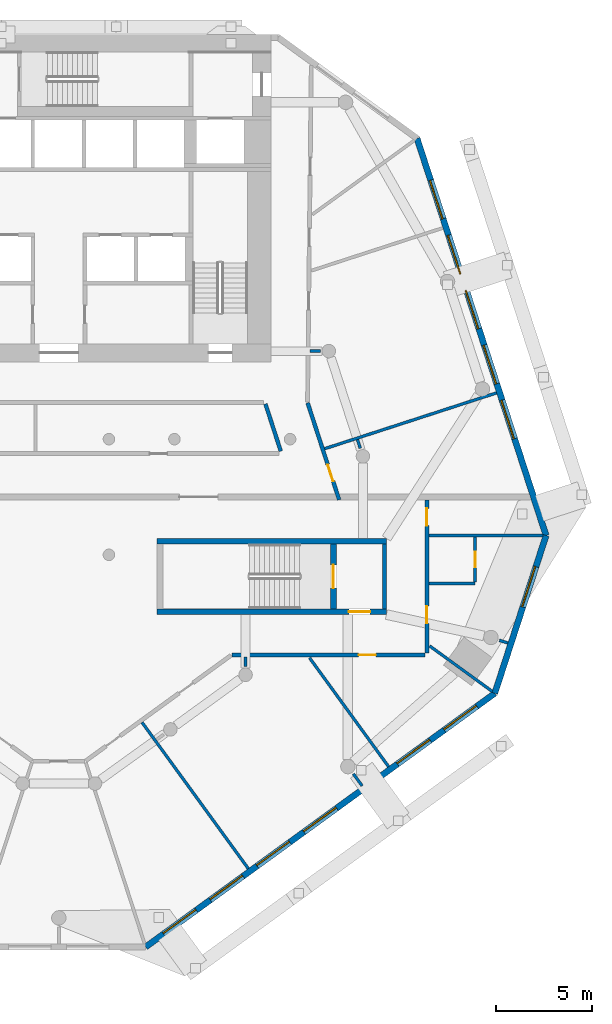
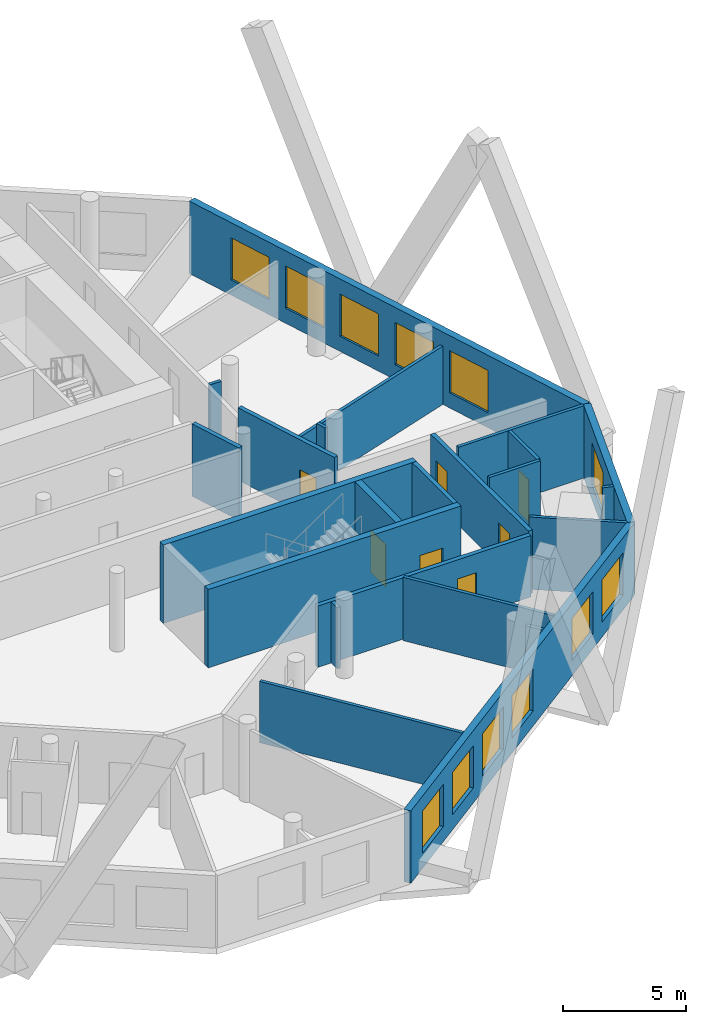
# One storey, part 5 of 9: 23 walls, 12 windows, 7 doors, 19 openings.
"""IFC4 building model written with IfcOpenShell, lengths in metres."""

from ifc_helpers import new_model, si_unit, direction, frame, frame_2d, origin, place, context, subcontext, project, spatial, rectangle, extrude, material, layer, layer_set, type_object, element, fill, save


model = new_model("IFC4")

# Units and contexts
model_context = context("Model", 3, precision=1e-05, world=origin(), true_north=direction((0.0, 1.0)))
body_context = subcontext(model_context, "Body", "Model", "MODEL_VIEW")
ifc_project = project(units=[si_unit("LENGTHUNIT", "METRE"), si_unit("AREAUNIT", "SQUARE_METRE"), si_unit("VOLUMEUNIT", "CUBIC_METRE"), si_unit("PLANEANGLEUNIT", "RADIAN"), si_unit("MASSUNIT", "GRAM", prefix="KILO")], contexts=[model_context])

# Site, building, storey
site_placement = place(None, origin())
site = spatial("IfcSite", under=ifc_project, at=site_placement, CompositionType="ELEMENT")
building_placement = place(site_placement, origin())
building = spatial("IfcBuilding", under=site, at=building_placement, Name="White Candle Pilgrim Tower", CompositionType="ELEMENT")
storey_placement = place(building_placement, frame((0.0, 0.0, 148.60009765625)))
storey = spatial("IfcBuildingStorey", under=building, at=storey_placement, Name="L33", CompositionType="ELEMENT", Elevation=148.60009765625)

# Wall
ifc_material_1 = material(Name="Concrete C60/75", Category="concrete")
ifc_layer_1 = layer(ifc_material_1, 0.199951171875)
ifc_layer_set_1 = layer_set([ifc_layer_1], Name="Core wall 200 mm Concrete C60/75")
wall_type_1 = type_object("IfcWallType", Name="Core wall 200 mm Concrete C60/75", PredefinedType="SHEAR", material=ifc_layer_set_1)
wall_1_placement = place(storey_placement, frame((86.89990234375, 58.199951171875, 0.0), z_axis=(0.0, 0.0, 1.0), x_axis=(0.0, 1.0, 0.0)))
element("IfcWall", 1, at=wall_1_placement, inside=storey, type_object=wall_type_1, Name="WL-L33-C08", PredefinedType="SHEAR", context=body_context, shape_type="SweptSolid", body=[
    extrude(rectangle(XDim=3.35009765625, YDim=0.199951171875, at=frame_2d((1.675048828125, 0.0))), origin(), (0.0, 0.0, 1.0), 3.89990234375),
])

# Wall, opening, door
ifc_material_2 = material(Name="Gypsum board on steel studs", Category="steel")
ifc_layer_2 = layer(ifc_material_2, 0.199951171875)
ifc_layer_set_2 = layer_set([ifc_layer_2], Name="Corridor wall 200 mm EI 45")
wall_type_2 = type_object("IfcWallType", Name="Corridor wall 200 mm EI 45", PredefinedType="PARTITIONING", material=ifc_layer_set_2)
wall_2_placement = place(storey_placement, frame((82.91162109375, 68.884521484375, 0.0), z_axis=(0.0, 0.0, 1.0), x_axis=(0.309009941901, -0.951058807754, 0.0)))
wall_2 = element("IfcWall", 2, at=wall_2_placement, inside=storey, type_object=wall_type_2, Name="WL-L33-P005", PredefinedType="PARTITIONING", context=body_context, shape_type="SweptSolid", body=[
    extrude(rectangle(XDim=5.29345703125, YDim=0.199951171875, at=frame_2d((2.646728515625, 0.0))), origin(), (0.0, 0.0, 1.0), 3.599853515625),
])
opening_1_placement = place(wall_2_placement, frame((3.375, 0.0, 0.0)))
opening_1 = element("IfcOpeningElement", 3, at=opening_1_placement, cuts=wall_2, Name="Opening T10-123", PredefinedType="OPENING", context=body_context, shape_type="SweptSolid", body=[
    extrude(rectangle(XDim=0.89990234375, YDim=2.10009765625, at=frame_2d((0.449951171875, 1.050048828125))), frame((0.0, 0.10986328125, 0.0), z_axis=(0.0, -1.0, 0.0), x_axis=(1.0, 0.0, 0.0)), (0.0, 0.0, 1.0), 0.219970703125),
])
ifc_material_3 = material(Name="Steel door leaf", Category="steel")
door_type_1 = type_object("IfcDoorType", Name="Fire door 900 x 2100 EI 30", OperationType="NOTDEFINED", PredefinedType="DOOR", material=ifc_material_3)
door_1_placement = place(opening_1_placement, origin())
door_1 = element("IfcDoor", 4, at=door_1_placement, inside=storey, type_object=door_type_1, Name="Door T10-123", OperationType="SINGLE_SWING_LEFT", OverallHeight=2.10009765625, OverallWidth=0.89990234375, PredefinedType="DOOR", context=body_context, shape_type="SweptSolid", body=[
    extrude(rectangle(XDim=0.89990234375, YDim=2.10009765625, at=frame_2d((0.449951171875, 1.050048828125))), frame((0.0, 0.02490234375, 0.0), z_axis=(0.0, -1.0, 0.0), x_axis=(1.0, 0.0, 0.0)), (0.0, 0.0, 1.0), 0.050048828125),
])
fill(opening_1, door_1)

# Wall, openings, doors
wall_3_placement = place(storey_placement, frame((89.10009765625, 63.85009765625, 0.0), z_axis=(0.0, 0.0, 1.0), x_axis=(0.0, -1.0, 0.0)))
wall_3 = element("IfcWall", 5, at=wall_3_placement, inside=storey, type_object=wall_type_2, Name="WL-L33-P006", PredefinedType="PARTITIONING", context=body_context, shape_type="SweptSolid", body=[
    extrude(rectangle(XDim=7.9501953125, YDim=0.199951171875, at=frame_2d((3.97509765625, 0.0))), origin(), (0.0, 0.0, 1.0), 3.14990234375),
])
opening_2_placement = place(wall_3_placement, frame((5.51220703125, 0.0, 0.0)))
opening_2 = element("IfcOpeningElement", 6, at=opening_2_placement, cuts=wall_3, Name="Opening T10-112", PredefinedType="OPENING", context=body_context, shape_type="SweptSolid", body=[
    extrude(rectangle(XDim=0.89990234375, YDim=2.10009765625, at=frame_2d((0.449951171875, 1.050048828125))), frame((0.0, 0.10986328125, 0.0), z_axis=(0.0, -1.0, 0.0), x_axis=(1.0, 0.0, 0.0)), (0.0, 0.0, 1.0), 0.219970703125),
])
opening_3_placement = place(wall_3_placement, frame((0.436279296875, 0.0, 0.0)))
opening_3 = element("IfcOpeningElement", 7, at=opening_3_placement, cuts=wall_3, Name="Opening T10-124", PredefinedType="OPENING", context=body_context, shape_type="SweptSolid", body=[
    extrude(rectangle(XDim=0.89990234375, YDim=2.10009765625, at=frame_2d((0.449951171875, 1.050048828125))), frame((0.0, 0.10986328125, 0.0), z_axis=(0.0, -1.0, 0.0), x_axis=(1.0, 0.0, 0.0)), (0.0, 0.0, 1.0), 0.219970703125),
])
door_2_placement = place(opening_2_placement, origin())
door_2 = element("IfcDoor", 8, at=door_2_placement, inside=storey, type_object=door_type_1, Name="Door T10-112", OperationType="SINGLE_SWING_RIGHT", OverallHeight=2.10009765625, OverallWidth=0.89990234375, PredefinedType="DOOR", context=body_context, shape_type="SweptSolid", body=[
    extrude(rectangle(XDim=0.89990234375, YDim=2.10009765625, at=frame_2d((0.449951171875, 1.050048828125))), frame((0.0, 0.02490234375, 0.0), z_axis=(0.0, -1.0, 0.0), x_axis=(1.0, 0.0, 0.0)), (0.0, 0.0, 1.0), 0.050048828125),
])
fill(opening_2, door_2)
door_3_placement = place(opening_3_placement, origin())
door_3 = element("IfcDoor", 9, at=door_3_placement, inside=storey, type_object=door_type_1, Name="Door T10-124", OperationType="SINGLE_SWING_RIGHT", OverallHeight=2.10009765625, OverallWidth=0.89990234375, PredefinedType="DOOR", context=body_context, shape_type="SweptSolid", body=[
    extrude(rectangle(XDim=0.89990234375, YDim=2.10009765625, at=frame_2d((0.449951171875, 1.050048828125))), frame((0.0, 0.02490234375, 0.0), z_axis=(0.0, -1.0, 0.0), x_axis=(1.0, 0.0, 0.0)), (0.0, 0.0, 1.0), 0.050048828125),
])
fill(opening_3, door_3)

# Wall, opening, door
wall_4_placement = place(storey_placement, frame((89.0, 55.800048828125, 0.0), z_axis=(0.0, 0.0, 1.0), x_axis=(-1.0, 0.0, 0.0)))
wall_4 = element("IfcWall", 10, at=wall_4_placement, inside=storey, type_object=wall_type_2, Name="WL-L33-P007", PredefinedType="PARTITIONING", context=body_context, shape_type="SweptSolid", body=[
    extrude(rectangle(XDim=10.010986328125, YDim=0.199951171875, at=frame_2d((5.00537109375, 0.0))), origin(), (0.0, 0.0, 1.0), 3.0498046875),
])
opening_4_placement = place(wall_4_placement, frame((2.548583984375, 0.0, 0.0)))
opening_4 = element("IfcOpeningElement", 11, at=opening_4_placement, cuts=wall_4, Name="Opening T10-110", PredefinedType="OPENING", context=body_context, shape_type="SweptSolid", body=[
    extrude(rectangle(XDim=0.89990234375, YDim=2.10009765625, at=frame_2d((0.449951171875, 1.050048828125))), frame((0.0, 0.10986328125, 0.0), z_axis=(0.0, -1.0, 0.0), x_axis=(1.0, 0.0, 0.0)), (0.0, 0.0, 1.0), 0.219970703125),
])
door_4_placement = place(opening_4_placement, origin())
door_4 = element("IfcDoor", 12, at=door_4_placement, inside=storey, type_object=door_type_1, Name="Door T10-110", OperationType="SINGLE_SWING_RIGHT", OverallHeight=2.10009765625, OverallWidth=0.89990234375, PredefinedType="DOOR", context=body_context, shape_type="SweptSolid", body=[
    extrude(rectangle(XDim=0.89990234375, YDim=2.10009765625, at=frame_2d((0.449951171875, 1.050048828125))), frame((0.0, 0.02490234375, 0.0), z_axis=(0.0, -1.0, 0.0), x_axis=(1.0, 0.0, 0.0)), (0.0, 0.0, 1.0), 0.050048828125),
])
fill(opening_4, door_4)

# Wall
wall_5_placement = place(storey_placement, frame((81.516845703125, 66.380859375, 0.0), z_axis=(0.0, 0.0, 1.0), x_axis=(-0.308968203288, 0.951072368097, 0.0)))
element("IfcWall", 13, at=wall_5_placement, inside=storey, type_object=wall_type_2, Name="WL-L33-P014", PredefinedType="PARTITIONING", context=body_context, shape_type="SweptSolid", body=[
    extrude(rectangle(XDim=2.575927734375, YDim=0.199951171875, at=frame_2d((1.2880859375, 0.0))), origin(), (0.0, 0.0, 1.0), 3.599853515625),
])

# Wall, openings, windows
ifc_material_4 = material(Name="Precast concrete C40/50", Category="concrete")
ifc_layer_3 = layer(ifc_material_4, 0.320068359375)
ifc_layer_set_3 = layer_set([ifc_layer_3], Name="Facade wall EW1 precast concrete C40/50 pier wall with timber-lined reveals")
wall_type_3 = type_object("IfcWallType", Name="Facade wall EW1 precast concrete C40/50 pier wall with timber-lined reveals", PredefinedType="SOLIDWALL", material=ifc_layer_set_3)
wall_6_placement = place(storey_placement, frame((74.5068359375, 40.6513671875, 0.0), z_axis=(0.0, 0.0, 1.0), x_axis=(0.809012267685, 0.587791757968, 0.0)))
wall_6 = element("IfcWall", 14, at=wall_6_placement, inside=storey, type_object=wall_type_3, Name="Facade wall L33 SE", PredefinedType="SOLIDWALL", context=body_context, shape_type="SweptSolid", body=[
    extrude(rectangle(XDim=22.393310546875, YDim=0.320068359375, at=frame_2d((11.19677734375, 0.0))), origin(), (0.0, 0.0, 1.0), 3.599853515625),
])
opening_5_placement = place(wall_6_placement, frame((1.146484375, 0.0, 0.75)))
opening_5 = element("IfcOpeningElement", 15, at=opening_5_placement, cuts=wall_6, Name="Opening W3", PredefinedType="OPENING", context=body_context, shape_type="SweptSolid", body=[
    extrude(rectangle(XDim=2.10009765625, YDim=2.10009765625, at=frame_2d((1.050048828125, 1.050048828125))), frame((0.0, 0.169921875, 0.0), z_axis=(0.0, -1.0, 0.0), x_axis=(1.0, 0.0, 0.0)), (0.0, 0.0, 1.0), 0.340087890625),
])
opening_6_placement = place(wall_6_placement, frame((4.146484375, 0.0, 0.75)))
opening_6 = element("IfcOpeningElement", 16, at=opening_6_placement, cuts=wall_6, Name="Opening W3", PredefinedType="OPENING", context=body_context, shape_type="SweptSolid", body=[
    extrude(rectangle(XDim=2.10009765625, YDim=2.10009765625, at=frame_2d((1.050048828125, 1.050048828125))), frame((0.0, 0.169921875, 0.0), z_axis=(0.0, -1.0, 0.0), x_axis=(1.0, 0.0, 0.0)), (0.0, 0.0, 1.0), 0.340087890625),
])
opening_7_placement = place(wall_6_placement, frame((7.146484375, 0.0, 0.75)))
opening_7 = element("IfcOpeningElement", 17, at=opening_7_placement, cuts=wall_6, Name="Opening W3", PredefinedType="OPENING", context=body_context, shape_type="SweptSolid", body=[
    extrude(rectangle(XDim=2.10009765625, YDim=2.10009765625, at=frame_2d((1.050048828125, 1.050048828125))), frame((0.0, 0.169921875, 0.0), z_axis=(0.0, -1.0, 0.0), x_axis=(1.0, 0.0, 0.0)), (0.0, 0.0, 1.0), 0.340087890625),
])
opening_8_placement = place(wall_6_placement, frame((10.146484375, 0.0, 0.75)))
opening_8 = element("IfcOpeningElement", 18, at=opening_8_placement, cuts=wall_6, Name="Opening W3", PredefinedType="OPENING", context=body_context, shape_type="SweptSolid", body=[
    extrude(rectangle(XDim=2.10009765625, YDim=2.10009765625, at=frame_2d((1.050048828125, 1.050048828125))), frame((0.0, 0.169921875, 0.0), z_axis=(0.0, -1.0, 0.0), x_axis=(1.0, 0.0, 0.0)), (0.0, 0.0, 1.0), 0.340087890625),
])
opening_9_placement = place(wall_6_placement, frame((16.146484375, 0.0, 0.75)))
opening_9 = element("IfcOpeningElement", 19, at=opening_9_placement, cuts=wall_6, Name="Opening W3", PredefinedType="OPENING", context=body_context, shape_type="SweptSolid", body=[
    extrude(rectangle(XDim=2.10009765625, YDim=2.10009765625, at=frame_2d((1.050048828125, 1.050048828125))), frame((0.0, 0.169921875, 0.0), z_axis=(0.0, -1.0, 0.0), x_axis=(1.0, 0.0, 0.0)), (0.0, 0.0, 1.0), 0.340087890625),
])
opening_10_placement = place(wall_6_placement, frame((19.146484375, 0.0, 0.75)))
opening_10 = element("IfcOpeningElement", 20, at=opening_10_placement, cuts=wall_6, Name="Opening W3", PredefinedType="OPENING", context=body_context, shape_type="SweptSolid", body=[
    extrude(rectangle(XDim=2.10009765625, YDim=2.10009765625, at=frame_2d((1.050048828125, 1.050048828125))), frame((0.0, 0.169921875, 0.0), z_axis=(0.0, -1.0, 0.0), x_axis=(1.0, 0.0, 0.0)), (0.0, 0.0, 1.0), 0.340087890625),
])
ifc_material_5 = material(Name="Timber frame with triple glazing", Category="wood")
window_type_1 = type_object("IfcWindowType", Name="Window W3 2100x2100 timber frame triple glazing", PartitioningType="SINGLE_PANEL", PredefinedType="WINDOW", material=ifc_material_5)
window_1_placement = place(opening_5_placement, origin())
window_1 = element("IfcWindow", 21, at=window_1_placement, inside=storey, type_object=window_type_1, Name="Window W3 L33 SE 1", OverallHeight=2.10009765625, OverallWidth=2.10009765625, PartitioningType="SINGLE_PANEL", PredefinedType="WINDOW", context=body_context, shape_type="SweptSolid", body=[
    extrude(rectangle(XDim=2.10009765625, YDim=2.10009765625, at=frame_2d((1.050048828125, 1.050048828125))), frame((0.0, 0.070068359375, 0.0), z_axis=(0.0, -1.0, 0.0), x_axis=(1.0, 0.0, 0.0)), (0.0, 0.0, 1.0), 0.06005859375),
])
fill(opening_5, window_1)
window_2_placement = place(opening_6_placement, origin())
window_2 = element("IfcWindow", 22, at=window_2_placement, inside=storey, type_object=window_type_1, Name="Window W3 L33 SE 2", OverallHeight=2.10009765625, OverallWidth=2.10009765625, PartitioningType="SINGLE_PANEL", PredefinedType="WINDOW", context=body_context, shape_type="SweptSolid", body=[
    extrude(rectangle(XDim=2.10009765625, YDim=2.10009765625, at=frame_2d((1.050048828125, 1.050048828125))), frame((0.0, 0.070068359375, 0.0), z_axis=(0.0, -1.0, 0.0), x_axis=(1.0, 0.0, 0.0)), (0.0, 0.0, 1.0), 0.06005859375),
])
fill(opening_6, window_2)
window_3_placement = place(opening_7_placement, origin())
window_3 = element("IfcWindow", 23, at=window_3_placement, inside=storey, type_object=window_type_1, Name="Window W3 L33 SE 3", OverallHeight=2.10009765625, OverallWidth=2.10009765625, PartitioningType="SINGLE_PANEL", PredefinedType="WINDOW", context=body_context, shape_type="SweptSolid", body=[
    extrude(rectangle(XDim=2.10009765625, YDim=2.10009765625, at=frame_2d((1.050048828125, 1.050048828125))), frame((0.0, 0.070068359375, 0.0), z_axis=(0.0, -1.0, 0.0), x_axis=(1.0, 0.0, 0.0)), (0.0, 0.0, 1.0), 0.06005859375),
])
fill(opening_7, window_3)
window_4_placement = place(opening_8_placement, origin())
window_4 = element("IfcWindow", 24, at=window_4_placement, inside=storey, type_object=window_type_1, Name="Window W3 L33 SE 4", OverallHeight=2.10009765625, OverallWidth=2.10009765625, PartitioningType="SINGLE_PANEL", PredefinedType="WINDOW", context=body_context, shape_type="SweptSolid", body=[
    extrude(rectangle(XDim=2.10009765625, YDim=2.10009765625, at=frame_2d((1.050048828125, 1.050048828125))), frame((0.0, 0.070068359375, 0.0), z_axis=(0.0, -1.0, 0.0), x_axis=(1.0, 0.0, 0.0)), (0.0, 0.0, 1.0), 0.06005859375),
])
fill(opening_8, window_4)
window_5_placement = place(opening_9_placement, origin())
window_5 = element("IfcWindow", 25, at=window_5_placement, inside=storey, type_object=window_type_1, Name="Window W3 L33 SE 6", OverallHeight=2.10009765625, OverallWidth=2.10009765625, PartitioningType="SINGLE_PANEL", PredefinedType="WINDOW", context=body_context, shape_type="SweptSolid", body=[
    extrude(rectangle(XDim=2.10009765625, YDim=2.10009765625, at=frame_2d((1.050048828125, 1.050048828125))), frame((0.0, 0.070068359375, 0.0), z_axis=(0.0, -1.0, 0.0), x_axis=(1.0, 0.0, 0.0)), (0.0, 0.0, 1.0), 0.06005859375),
])
fill(opening_9, window_5)
window_6_placement = place(opening_10_placement, origin())
window_6 = element("IfcWindow", 26, at=window_6_placement, inside=storey, type_object=window_type_1, Name="Window W3 L33 SE 7", OverallHeight=2.10009765625, OverallWidth=2.10009765625, PartitioningType="SINGLE_PANEL", PredefinedType="WINDOW", context=body_context, shape_type="SweptSolid", body=[
    extrude(rectangle(XDim=2.10009765625, YDim=2.10009765625, at=frame_2d((1.050048828125, 1.050048828125))), frame((0.0, 0.070068359375, 0.0), z_axis=(0.0, -1.0, 0.0), x_axis=(1.0, 0.0, 0.0)), (0.0, 0.0, 1.0), 0.06005859375),
])
fill(opening_10, window_6)

# Wall, opening, window
wall_7_placement = place(storey_placement, frame((92.623291015625, 53.81396484375, 0.0), z_axis=(0.0, 0.0, 1.0), x_axis=(0.309030288319, 0.951052196728, 0.0)))
wall_7 = element("IfcWall", 27, at=wall_7_placement, inside=storey, type_object=wall_type_3, Name="Facade wall L33 E chamfer", PredefinedType="SOLIDWALL", context=body_context, shape_type="SweptSolid", body=[
    extrude(rectangle(XDim=8.609619140625, YDim=0.320068359375, at=frame_2d((4.3046875, 0.0))), origin(), (0.0, 0.0, 1.0), 3.599853515625),
])
opening_11_placement = place(wall_7_placement, frame((4.704833984375, 0.0, 0.75)))
opening_11 = element("IfcOpeningElement", 28, at=opening_11_placement, cuts=wall_7, Name="Opening W4", PredefinedType="OPENING", context=body_context, shape_type="SweptSolid", body=[
    extrude(rectangle(XDim=2.199951171875, YDim=2.10009765625, at=frame_2d((1.10009765625, 1.050048828125))), frame((0.0, 0.169921875, 0.0), z_axis=(0.0, -1.0, 0.0), x_axis=(1.0, 0.0, 0.0)), (0.0, 0.0, 1.0), 0.340087890625),
])
window_type_2 = type_object("IfcWindowType", Name="Window W4 2200x2100 timber frame triple glazing", PartitioningType="SINGLE_PANEL", PredefinedType="WINDOW", material=ifc_material_5)
window_7_placement = place(opening_11_placement, origin())
window_7 = element("IfcWindow", 29, at=window_7_placement, inside=storey, type_object=window_type_2, Name="Window W4 L33 E chamfer 2", OverallHeight=2.10009765625, OverallWidth=2.199951171875, PartitioningType="SINGLE_PANEL", PredefinedType="WINDOW", context=body_context, shape_type="SweptSolid", body=[
    extrude(rectangle(XDim=2.199951171875, YDim=2.10009765625, at=frame_2d((1.10009765625, 1.050048828125))), frame((0.0, 0.070068359375, 0.0), z_axis=(0.0, -1.0, 0.0), x_axis=(1.0, 0.0, 0.0)), (0.0, 0.0, 1.0), 0.06005859375),
])
fill(opening_11, window_7)

# Wall, openings, windows
wall_8_placement = place(storey_placement, frame((95.283935546875, 62.002197265625, 0.0), z_axis=(0.0, 0.0, 1.0), x_axis=(-0.309020837221, 0.95105526767, 0.0)))
wall_8 = element("IfcWall", 30, at=wall_8_placement, inside=storey, type_object=wall_type_3, Name="Facade wall L33 ENE", PredefinedType="SOLIDWALL", context=body_context, shape_type="SweptSolid", body=[
    extrude(rectangle(XDim=21.663818359375, YDim=0.320068359375, at=frame_2d((10.83203125, 0.0))), origin(), (0.0, 0.0, 1.0), 3.599853515625),
])
opening_12_placement = place(wall_8_placement, frame((5.281982421875, 0.0, 0.75)))
opening_12 = element("IfcOpeningElement", 31, at=opening_12_placement, cuts=wall_8, Name="Opening W3", PredefinedType="OPENING", context=body_context, shape_type="SweptSolid", body=[
    extrude(rectangle(XDim=2.10009765625, YDim=2.10009765625, at=frame_2d((1.050048828125, 1.050048828125))), frame((0.0, 0.169921875, 0.0), z_axis=(0.0, -1.0, 0.0), x_axis=(1.0, 0.0, 0.0)), (0.0, 0.0, 1.0), 0.340087890625),
])
opening_13_placement = place(wall_8_placement, frame((8.281982421875, 0.0, 0.75)))
opening_13 = element("IfcOpeningElement", 32, at=opening_13_placement, cuts=wall_8, Name="Opening W3", PredefinedType="OPENING", context=body_context, shape_type="SweptSolid", body=[
    extrude(rectangle(XDim=2.10009765625, YDim=2.10009765625, at=frame_2d((1.050048828125, 1.050048828125))), frame((0.0, 0.169921875, 0.0), z_axis=(0.0, -1.0, 0.0), x_axis=(1.0, 0.0, 0.0)), (0.0, 0.0, 1.0), 0.340087890625),
])
opening_14_placement = place(wall_8_placement, frame((11.281982421875, 0.0, 0.75)))
opening_14 = element("IfcOpeningElement", 33, at=opening_14_placement, cuts=wall_8, Name="Opening W3", PredefinedType="OPENING", context=body_context, shape_type="SweptSolid", body=[
    extrude(rectangle(XDim=2.10009765625, YDim=2.10009765625, at=frame_2d((1.050048828125, 1.050048828125))), frame((0.0, 0.169921875, 0.0), z_axis=(0.0, -1.0, 0.0), x_axis=(1.0, 0.0, 0.0)), (0.0, 0.0, 1.0), 0.340087890625),
])
opening_15_placement = place(wall_8_placement, frame((14.281982421875, 0.0, 0.75)))
opening_15 = element("IfcOpeningElement", 34, at=opening_15_placement, cuts=wall_8, Name="Opening W3", PredefinedType="OPENING", context=body_context, shape_type="SweptSolid", body=[
    extrude(rectangle(XDim=2.10009765625, YDim=2.10009765625, at=frame_2d((1.050048828125, 1.050048828125))), frame((0.0, 0.169921875, 0.0), z_axis=(0.0, -1.0, 0.0), x_axis=(1.0, 0.0, 0.0)), (0.0, 0.0, 1.0), 0.340087890625),
])
opening_16_placement = place(wall_8_placement, frame((17.281982421875, 0.0, 0.75)))
opening_16 = element("IfcOpeningElement", 35, at=opening_16_placement, cuts=wall_8, Name="Opening W3", PredefinedType="OPENING", context=body_context, shape_type="SweptSolid", body=[
    extrude(rectangle(XDim=2.10009765625, YDim=2.10009765625, at=frame_2d((1.050048828125, 1.050048828125))), frame((0.0, 0.169921875, 0.0), z_axis=(0.0, -1.0, 0.0), x_axis=(1.0, 0.0, 0.0)), (0.0, 0.0, 1.0), 0.340087890625),
])
window_8_placement = place(opening_12_placement, origin())
window_8 = element("IfcWindow", 36, at=window_8_placement, inside=storey, type_object=window_type_1, Name="Window W3 L33 ENE 2", OverallHeight=2.10009765625, OverallWidth=2.10009765625, PartitioningType="SINGLE_PANEL", PredefinedType="WINDOW", context=body_context, shape_type="SweptSolid", body=[
    extrude(rectangle(XDim=2.10009765625, YDim=2.10009765625, at=frame_2d((1.050048828125, 1.050048828125))), frame((0.0, 0.070068359375, 0.0), z_axis=(0.0, -1.0, 0.0), x_axis=(1.0, 0.0, 0.0)), (0.0, 0.0, 1.0), 0.06005859375),
])
fill(opening_12, window_8)
window_9_placement = place(opening_13_placement, origin())
window_9 = element("IfcWindow", 37, at=window_9_placement, inside=storey, type_object=window_type_1, Name="Window W3 L33 ENE 3", OverallHeight=2.10009765625, OverallWidth=2.10009765625, PartitioningType="SINGLE_PANEL", PredefinedType="WINDOW", context=body_context, shape_type="SweptSolid", body=[
    extrude(rectangle(XDim=2.10009765625, YDim=2.10009765625, at=frame_2d((1.050048828125, 1.050048828125))), frame((0.0, 0.070068359375, 0.0), z_axis=(0.0, -1.0, 0.0), x_axis=(1.0, 0.0, 0.0)), (0.0, 0.0, 1.0), 0.06005859375),
])
fill(opening_13, window_9)
window_10_placement = place(opening_14_placement, origin())
window_10 = element("IfcWindow", 38, at=window_10_placement, inside=storey, type_object=window_type_1, Name="Window W3 L33 ENE 4", OverallHeight=2.10009765625, OverallWidth=2.10009765625, PartitioningType="SINGLE_PANEL", PredefinedType="WINDOW", context=body_context, shape_type="SweptSolid", body=[
    extrude(rectangle(XDim=2.10009765625, YDim=2.10009765625, at=frame_2d((1.050048828125, 1.050048828125))), frame((0.0, 0.070068359375, 0.0), z_axis=(0.0, -1.0, 0.0), x_axis=(1.0, 0.0, 0.0)), (0.0, 0.0, 1.0), 0.06005859375),
])
fill(opening_14, window_10)
window_11_placement = place(opening_15_placement, origin())
window_11 = element("IfcWindow", 39, at=window_11_placement, inside=storey, type_object=window_type_1, Name="Window W3 L33 ENE 5", OverallHeight=2.10009765625, OverallWidth=2.10009765625, PartitioningType="SINGLE_PANEL", PredefinedType="WINDOW", context=body_context, shape_type="SweptSolid", body=[
    extrude(rectangle(XDim=2.10009765625, YDim=2.10009765625, at=frame_2d((1.050048828125, 1.050048828125))), frame((0.0, 0.070068359375, 0.0), z_axis=(0.0, -1.0, 0.0), x_axis=(1.0, 0.0, 0.0)), (0.0, 0.0, 1.0), 0.06005859375),
])
fill(opening_15, window_11)
window_12_placement = place(opening_16_placement, origin())
window_12 = element("IfcWindow", 40, at=window_12_placement, inside=storey, type_object=window_type_1, Name="Window W3 L33 ENE 6", OverallHeight=2.10009765625, OverallWidth=2.10009765625, PartitioningType="SINGLE_PANEL", PredefinedType="WINDOW", context=body_context, shape_type="SweptSolid", body=[
    extrude(rectangle(XDim=2.10009765625, YDim=2.10009765625, at=frame_2d((1.050048828125, 1.050048828125))), frame((0.0, 0.070068359375, 0.0), z_axis=(0.0, -1.0, 0.0), x_axis=(1.0, 0.0, 0.0)), (0.0, 0.0, 1.0), 0.06005859375),
])
fill(opening_16, window_12)

# Walls
ifc_layer_4 = layer(ifc_material_2, 0.14990234375)
ifc_layer_set_4 = layer_set([ifc_layer_4], Name="Partition 150 mm EI 60")
wall_type_4 = type_object("IfcWallType", Name="Partition 150 mm EI 60", PredefinedType="PARTITIONING", material=ifc_layer_set_4)
wall_9_placement = place(storey_placement, frame((92.4873046875, 53.91259765625, 0.0), z_axis=(0.0, 0.0, 1.0), x_axis=(-0.80899935581, 0.587809528928, 0.0)))
element("IfcWall", 41, at=wall_9_placement, inside=storey, type_object=wall_type_4, Name="WL-L33-P022", PredefinedType="PARTITIONING", context=body_context, shape_type="SweptSolid", body=[
    extrude(rectangle(XDim=4.0087890625, YDim=0.14990234375, at=frame_2d((2.00439453125, 0.0))), origin(), (0.0, 0.0, 1.0), 3.599853515625),
])
wall_10_placement = place(storey_placement, frame((95.115478515625, 62.002197265625, 0.0), z_axis=(0.0, 0.0, 1.0), x_axis=(-1.0, 0.0, 0.0)))
element("IfcWall", 42, at=wall_10_placement, inside=storey, type_object=wall_type_4, Name="WL-L33-P023", PredefinedType="PARTITIONING", context=body_context, shape_type="SweptSolid", body=[
    extrude(rectangle(XDim=5.91552734375, YDim=0.14990234375, at=frame_2d((2.957763671875, 0.0))), origin(), (0.0, 0.0, 1.0), 3.599853515625),
])
wall_11_placement = place(storey_placement, frame((79.830322265625, 44.717041015625, 0.0), z_axis=(0.0, 0.0, 1.0), x_axis=(-0.587783184234, 0.809018496903, 0.0)))
element("IfcWall", 43, at=wall_11_placement, inside=storey, type_object=wall_type_4, Name="WL-L33-P032", PredefinedType="PARTITIONING", context=body_context, shape_type="SweptSolid", body=[
    extrude(rectangle(XDim=9.380126953125, YDim=0.14990234375, at=frame_2d((4.68994140625, 0.0))), origin(), (0.0, 0.0, 1.0), 3.0498046875),
])
wall_12_placement = place(storey_placement, frame((87.111572265625, 50.007080078125, 0.0), z_axis=(0.0, 0.0, 1.0), x_axis=(-0.587768293971, 0.809029315045, 0.0)))
element("IfcWall", 44, at=wall_12_placement, inside=storey, type_object=wall_type_4, Name="WL-L33-P033", PredefinedType="PARTITIONING", context=body_context, shape_type="SweptSolid", body=[
    extrude(rectangle(XDim=6.982421875, YDim=0.14990234375, at=frame_2d((3.4912109375, 0.0))), origin(), (0.0, 0.0, 1.0), 3.14990234375),
])
wall_13_placement = place(storey_placement, frame((89.199951171875, 59.502197265625, 0.0), z_axis=(0.0, 0.0, 1.0), x_axis=(1.0, 0.0, 0.0)))
element("IfcWall", 45, at=wall_13_placement, inside=storey, type_object=wall_type_4, Name="WL-L33-P034", PredefinedType="PARTITIONING", context=body_context, shape_type="SweptSolid", body=[
    extrude(rectangle(XDim=2.400146484375, YDim=0.14990234375, at=frame_2d((1.2001953125, 0.0))), origin(), (0.0, 0.0, 1.0), 3.599853515625),
])

# Wall, opening, door
wall_14_placement = place(storey_placement, frame((91.60009765625, 61.92724609375, 0.0), z_axis=(0.0, 0.0, 1.0), x_axis=(0.0, -1.0, 0.0)))
wall_14 = element("IfcWall", 46, at=wall_14_placement, inside=storey, type_object=wall_type_4, Name="WL-L33-P035", PredefinedType="PARTITIONING", context=body_context, shape_type="SweptSolid", body=[
    extrude(rectangle(XDim=2.35009765625, YDim=0.14990234375, at=frame_2d((1.175048828125, 0.0))), origin(), (0.0, 0.0, 1.0), 3.599853515625),
])
opening_17_placement = place(wall_14_placement, frame((0.77490234375, 0.0, 0.0)))
opening_17 = element("IfcOpeningElement", 47, at=opening_17_placement, cuts=wall_14, Name="Opening T10-111", PredefinedType="OPENING", context=body_context, shape_type="SweptSolid", body=[
    extrude(rectangle(XDim=0.800048828125, YDim=2.10009765625, at=frame_2d((0.39990234375, 1.050048828125))), frame((0.0, 0.0849609375, 0.0), z_axis=(0.0, -1.0, 0.0), x_axis=(1.0, 0.0, 0.0)), (0.0, 0.0, 1.0), 0.169921875),
])
door_type_2 = type_object("IfcDoorType", Name="Fire door 800 x 2100 EI 30", OperationType="NOTDEFINED", PredefinedType="DOOR", material=ifc_material_3)
door_5_placement = place(opening_17_placement, origin())
door_5 = element("IfcDoor", 48, at=door_5_placement, inside=storey, type_object=door_type_2, Name="Door T10-111", OperationType="SINGLE_SWING_LEFT", OverallHeight=2.10009765625, OverallWidth=0.800048828125, PredefinedType="DOOR", context=body_context, shape_type="SweptSolid", body=[
    extrude(rectangle(XDim=0.800048828125, YDim=2.10009765625, at=frame_2d((0.39990234375, 1.050048828125))), frame((0.0, 0.02490234375, 0.0), z_axis=(0.0, -1.0, 0.0), x_axis=(1.0, 0.0, 0.0)), (0.0, 0.0, 1.0), 0.050048828125),
])
fill(opening_17, door_5)

# Walls
wall_15_placement = place(storey_placement, frame((92.71142578125, 69.4013671875, 0.0), z_axis=(0.0, 0.0, 1.0), x_axis=(-0.951053194127, -0.30902721877, 0.0)))
element("IfcWall", 49, at=wall_15_placement, inside=storey, type_object=wall_type_4, Name="WL-L33-P036", PredefinedType="PARTITIONING", context=body_context, shape_type="SweptSolid", body=[
    extrude(rectangle(XDim=9.380126953125, YDim=0.14990234375, at=frame_2d((4.68994140625, 0.0))), origin(), (0.0, 0.0, 1.0), 2.89990234375),
])
wall_16_placement = place(storey_placement, frame((85.28076171875, 49.639404296875, 0.0), z_axis=(0.0, 0.0, 1.0), x_axis=(0.587892016581, -0.808939414815, 0.0)))
element("IfcWall", 50, at=wall_16_placement, inside=storey, type_object=wall_type_4, Name="WL-L33-P043", PredefinedType="PARTITIONING", context=body_context, shape_type="SweptSolid", body=[
    extrude(rectangle(XDim=0.778564453125, YDim=0.14990234375, at=frame_2d((0.38916015625, 0.0))), origin(), (0.0, 0.0, 1.0), 3.599853515625),
])
wall_17_placement = place(storey_placement, frame((92.861083984375, 56.56298828125, 0.0), z_axis=(0.0, 0.0, 1.0), x_axis=(0.951130831717, -0.308788181377, 0.0)))
element("IfcWall", 51, at=wall_17_placement, inside=storey, type_object=wall_type_4, Name="WL-L33-P044", PredefinedType="PARTITIONING", context=body_context, shape_type="SweptSolid", body=[
    extrude(rectangle(XDim=0.46337890625, YDim=0.14990234375, at=frame_2d((0.231689453125, 0.0))), origin(), (0.0, 0.0, 1.0), 3.599853515625),
])
wall_18_placement = place(storey_placement, frame((79.687744140625, 55.2099609375, 0.0), z_axis=(0.0, 0.0, 1.0), x_axis=(0.0, 1.0, 0.0)))
element("IfcWall", 52, at=wall_18_placement, inside=storey, type_object=wall_type_4, Name="WL-L33-P046", PredefinedType="PARTITIONING", context=body_context, shape_type="SweptSolid", body=[
    extrude(rectangle(XDim=0.489990234375, YDim=0.14990234375, at=frame_2d((0.2451171875, 0.0))), origin(), (0.0, 0.0, 1.0), 3.0498046875),
])
wall_19_placement = place(storey_placement, frame((85.64111328125, 66.52734375, 0.0), z_axis=(0.0, 0.0, 1.0), x_axis=(-0.30941254937, 0.950927901732, 0.0)))
element("IfcWall", 53, at=wall_19_placement, inside=storey, type_object=wall_type_4, Name="WL-L33-P047", PredefinedType="PARTITIONING", context=body_context, shape_type="SweptSolid", body=[
    extrude(rectangle(XDim=0.473388671875, YDim=0.14990234375, at=frame_2d((0.23681640625, 0.0))), origin(), (0.0, 0.0, 1.0), 3.0498046875),
])
wall_20_placement = place(storey_placement, frame((83.570068359375, 71.572509765625, 0.0), z_axis=(0.0, 0.0, 1.0), x_axis=(-0.999939791792, 0.010973276179, 0.0)))
element("IfcWall", 54, at=wall_20_placement, inside=storey, type_object=wall_type_4, Name="WL-L33-P048", PredefinedType="PARTITIONING", context=body_context, shape_type="SweptSolid", body=[
    extrude(rectangle(XDim=0.533935546875, YDim=0.14990234375, at=frame_2d((0.26708984375, 0.0))), origin(), (0.0, 0.0, 1.0), 3.0498046875),
])

# Wall, opening, door
ifc_layer_5 = layer(ifc_material_1, 0.300048828125)
ifc_layer_set_5 = layer_set([ifc_layer_5], Name="Stair shaft wall 300 mm Concrete C60/75")
wall_type_5 = type_object("IfcWallType", Name="Stair shaft wall 300 mm Concrete C60/75", PredefinedType="SHEAR", material=ifc_layer_set_5)
wall_21_placement = place(storey_placement, frame((75.10009765625, 58.050048828125, 0.0), z_axis=(0.0, 0.0, 1.0), x_axis=(1.0, 0.0, 0.0)))
wall_21 = element("IfcWall", 55, at=wall_21_placement, inside=storey, type_object=wall_type_5, Name="WL-L33-C02", PredefinedType="SHEAR", context=body_context, shape_type="SweptSolid", body=[
    extrude(rectangle(XDim=11.89990234375, YDim=0.300048828125, at=frame_2d((5.949951171875, 0.0))), origin(), (0.0, 0.0, 1.0), 3.89990234375),
])
opening_18_placement = place(wall_21_placement, frame((9.949951171875, 0.0, 0.0)))
opening_18 = element("IfcOpeningElement", 56, at=opening_18_placement, cuts=wall_21, Name="Opening T10-011", PredefinedType="OPENING", context=body_context, shape_type="SweptSolid", body=[
    extrude(rectangle(XDim=1.10009765625, YDim=2.10009765625, at=frame_2d((0.550048828125, 1.050048828125))), frame((0.0, 0.159912109375, 0.0), z_axis=(0.0, -1.0, 0.0), x_axis=(1.0, 0.0, 0.0)), (0.0, 0.0, 1.0), 0.320068359375),
])
door_type_3 = type_object("IfcDoorType", Name="Fire door 1100 x 2100 EI 60", OperationType="NOTDEFINED", PredefinedType="DOOR", material=ifc_material_3)
door_6_placement = place(opening_18_placement, origin())
door_6 = element("IfcDoor", 57, at=door_6_placement, inside=storey, type_object=door_type_3, Name="Door T10-011", OperationType="SINGLE_SWING_LEFT", OverallHeight=2.10009765625, OverallWidth=1.10009765625, PredefinedType="DOOR", context=body_context, shape_type="SweptSolid", body=[
    extrude(rectangle(XDim=1.10009765625, YDim=2.10009765625, at=frame_2d((0.550048828125, 1.050048828125))), frame((0.0, 0.02490234375, 0.0), z_axis=(0.0, -1.0, 0.0), x_axis=(1.0, 0.0, 0.0)), (0.0, 0.0, 1.0), 0.050048828125),
])
fill(opening_18, door_6)

wall_22_placement = place(storey_placement, frame((84.25, 58.199951171875, 0.0), z_axis=(0.0, 0.0, 1.0), x_axis=(0.0, 1.0, 0.0)))
wall_22 = element("IfcWall", 58, at=wall_22_placement, inside=storey, type_object=wall_type_5, Name="WL-L33-C07", PredefinedType="SHEAR", context=body_context, shape_type="SweptSolid", body=[
    extrude(rectangle(XDim=3.35009765625, YDim=0.300048828125, at=frame_2d((1.675048828125, 0.0))), origin(), (0.0, 0.0, 1.0), 3.89990234375),
])
opening_19_placement = place(wall_22_placement, frame((1.074951171875, 0.0, 0.0)))
opening_19 = element("IfcOpeningElement", 59, at=opening_19_placement, cuts=wall_22, Name="Opening T10-012", PredefinedType="OPENING", context=body_context, shape_type="SweptSolid", body=[
    extrude(rectangle(XDim=1.199951171875, YDim=2.10009765625, at=frame_2d((0.60009765625, 1.050048828125))), frame((0.0, 0.159912109375, 0.0), z_axis=(0.0, -1.0, 0.0), x_axis=(1.0, 0.0, 0.0)), (0.0, 0.0, 1.0), 0.320068359375),
])
door_type_4 = type_object("IfcDoorType", Name="Fire door 1200 x 2100 EI 60", OperationType="NOTDEFINED", PredefinedType="DOOR", material=ifc_material_3)
door_7_placement = place(opening_19_placement, origin())
door_7 = element("IfcDoor", 60, at=door_7_placement, inside=storey, type_object=door_type_4, Name="Door T10-012", OperationType="SINGLE_SWING_RIGHT", OverallHeight=2.10009765625, OverallWidth=1.199951171875, PredefinedType="DOOR", context=body_context, shape_type="SweptSolid", body=[
    extrude(rectangle(XDim=1.199951171875, YDim=2.10009765625, at=frame_2d((0.60009765625, 1.050048828125))), frame((0.0, 0.02490234375, 0.0), z_axis=(0.0, -1.0, 0.0), x_axis=(1.0, 0.0, 0.0)), (0.0, 0.0, 1.0), 0.050048828125),
])
fill(opening_19, door_7)

# Wall
wall_23_placement = place(storey_placement, frame((75.10009765625, 61.699951171875, 0.0), z_axis=(0.0, 0.0, 1.0), x_axis=(1.0, 0.0, 0.0)))
element("IfcWall", 61, at=wall_23_placement, inside=storey, type_object=wall_type_5, Name="WL-L33-C10", PredefinedType="SHEAR", context=body_context, shape_type="SweptSolid", body=[
    extrude(rectangle(XDim=11.89990234375, YDim=0.300048828125, at=frame_2d((5.949951171875, 0.0))), origin(), (0.0, 0.0, 1.0), 3.89990234375),
])

save(model, "model.ifc")
